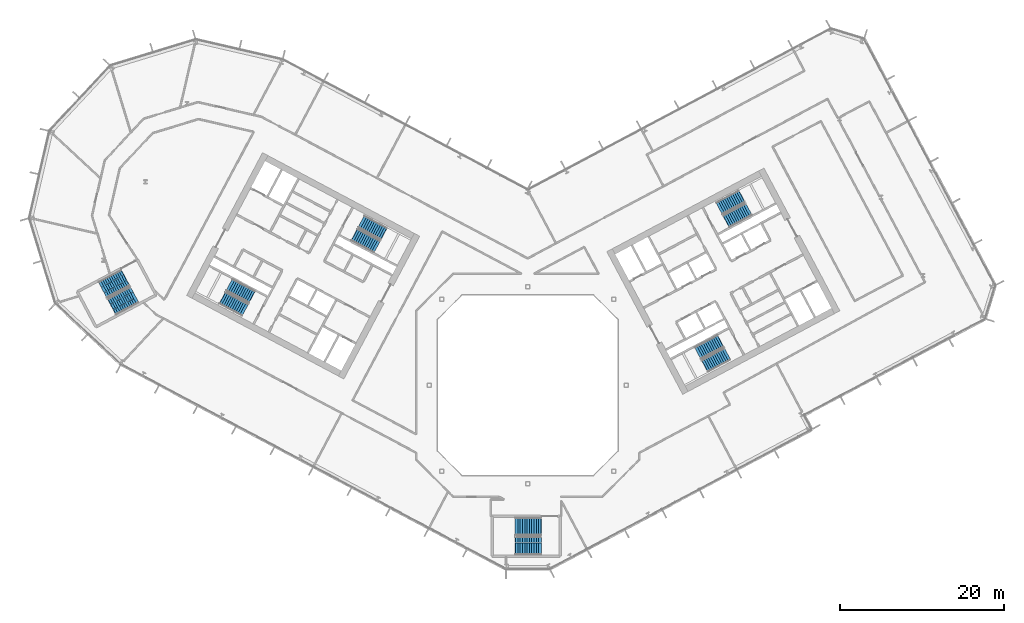
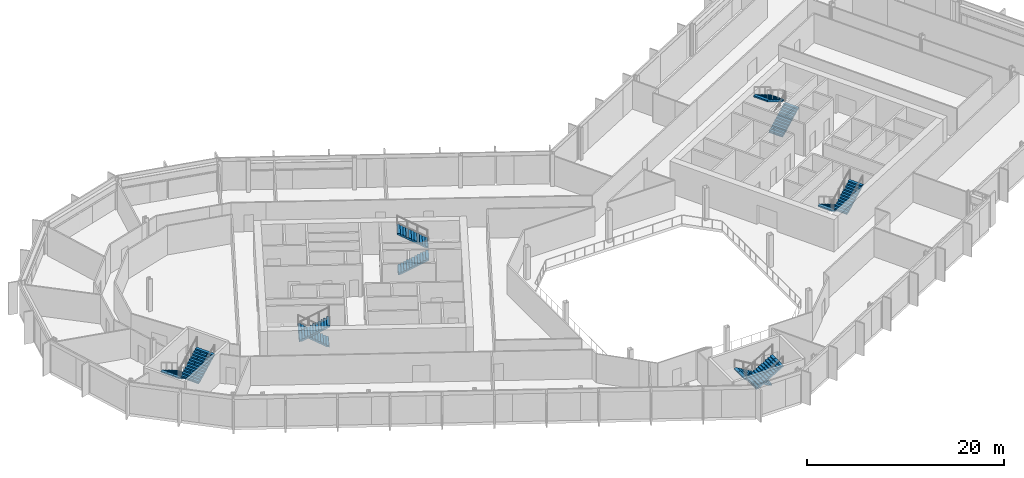
# One storey, part 18 of 28: 12 stair flights, 6 elements without a shape of their own.
"""IFC4 building model written with IfcOpenShell, lengths in metres."""

from ifc_helpers import new_model, si_unit, direction, frame, origin, place, context, subcontext, project, spatial, polyline, outline, extrude, material, type_object, element, aggregate, save


model = new_model("IFC4")

# Units and contexts
model_context = context("Model", 3, precision=1e-05, world=origin(), true_north=direction((0.0, 1.0)))
body_context = subcontext(model_context, "Body", "Model", "MODEL_VIEW")
ifc_project = project(units=[si_unit("LENGTHUNIT", "METRE"), si_unit("AREAUNIT", "SQUARE_METRE"), si_unit("VOLUMEUNIT", "CUBIC_METRE"), si_unit("PLANEANGLEUNIT", "RADIAN"), si_unit("MASSUNIT", "GRAM", prefix="KILO")], contexts=[model_context])

# Site, building, storey
site_placement = place(None, origin())
site = spatial("IfcSite", under=ifc_project, at=site_placement, CompositionType="ELEMENT")
building_placement = place(site_placement, origin())
building = spatial("IfcBuilding", under=site, at=building_placement, Name="Cormorant Relay Tower", CompositionType="ELEMENT")
storey_placement = place(building_placement, frame((0.0, 0.0, 174.199951171875)))
storey = spatial("IfcBuildingStorey", under=building, at=storey_placement, Name="L37", CompositionType="ELEMENT", Elevation=174.199951171875)

# Stair, stair flights
ifc_material_1 = material(Name="Concrete 40 MPa", Category="concrete")
stair_type_1 = type_object("IfcStairType", Name="Exit stair 1500", PredefinedType="HALF_TURN_STAIR", material=ifc_material_1)
stair_1_placement = place(storey_placement, origin())
stair_1 = element("IfcStair", 1, at=stair_1_placement, inside=storey, type_object=stair_type_1, Name="L37 Stair", PredefinedType="HALF_TURN_STAIR")
ifc_material_2 = material(Name="Concrete 40 MPa", Category="concrete")
stair_flight_type_1 = type_object("IfcStairFlightType", Name="Exit stair flight 1650", PredefinedType="STRAIGHT", material=ifc_material_2)
stair_flight_1_placement = place(storey_placement, frame((-21.114501953125, 18.33349609375, 0.0), z_axis=(0.0, 0.0, 1.0), x_axis=(0.882947592859, -0.469471562786, 0.0)))
stair_flight_1 = element("IfcStairFlight", 2, at=stair_flight_1_placement, type_object=stair_flight_type_1, Name="A1 flight 1", NumberOfRisers=12, NumberOfTreads=11, PredefinedType="STRAIGHT", RiserHeight=0.166666667, TreadLength=0.28, context=body_context, shape_type="SweptSolid", body=[
    extrude(outline(polyline([(-0.050048828125, -0.080078125), (-0.050048828125, 0.0), (0.0, 0.0), (0.0, 0.166748046875), (0.280029296875, 0.166748046875), (0.280029296875, 0.333251953125), (0.56005859375, 0.333251953125), (0.56005859375, 0.5), (0.840087890625, 0.5), (0.840087890625, 0.666748046875), (1.1201171875, 0.666748046875), (1.1201171875, 0.833251953125), (1.39990234375, 0.833251953125), (1.39990234375, 1.0), (1.679931640625, 1.0), (1.679931640625, 1.166748046875), (1.9599609375, 1.166748046875), (1.9599609375, 1.333251953125), (2.239990234375, 1.333251953125), (2.239990234375, 1.5), (2.52001953125, 1.5), (2.52001953125, 1.666748046875), (2.800048828125, 1.666748046875), (2.800048828125, 1.833251953125), (3.080078125, 1.833251953125), (3.130126953125, 1.833251953125), (3.130126953125, 1.658935546875), (3.080078125, 1.658935546875), (0.29296875, 0.0), (-0.050048828125, -0.080078125)])), frame((0.0, 0.824951171875, 0.0), z_axis=(0.0, -1.0, 0.0), x_axis=(1.0, 0.0, 0.0)), (0.0, 0.0, 1.0), 1.64990234375),
])
stair_flight_2_placement = place(storey_placement, frame((-17.5498046875, 18.47705078125, 2.0), z_axis=(0.0, 0.0, 1.0), x_axis=(-0.882947592859, 0.469471562786, 0.0)))
stair_flight_2 = element("IfcStairFlight", 3, at=stair_flight_2_placement, type_object=stair_flight_type_1, Name="A1 flight 2", NumberOfRisers=12, NumberOfTreads=11, PredefinedType="STRAIGHT", RiserHeight=0.166666667, TreadLength=0.28, context=body_context, shape_type="SweptSolid", body=[
    extrude(outline(polyline([(-0.050048828125, -0.080078125), (-0.050048828125, 0.0), (0.0, 0.0), (0.0, 0.166748046875), (0.280029296875, 0.166748046875), (0.280029296875, 0.333251953125), (0.56005859375, 0.333251953125), (0.56005859375, 0.5), (0.840087890625, 0.5), (0.840087890625, 0.666748046875), (1.1201171875, 0.666748046875), (1.1201171875, 0.833251953125), (1.39990234375, 0.833251953125), (1.39990234375, 1.0), (1.679931640625, 1.0), (1.679931640625, 1.166748046875), (1.9599609375, 1.166748046875), (1.9599609375, 1.333251953125), (2.239990234375, 1.333251953125), (2.239990234375, 1.5), (2.52001953125, 1.5), (2.52001953125, 1.666748046875), (2.800048828125, 1.666748046875), (2.800048828125, 1.833251953125), (3.080078125, 1.833251953125), (3.130126953125, 1.833251953125), (3.130126953125, 1.658935546875), (3.080078125, 1.658935546875), (0.29296875, 0.0), (-0.050048828125, -0.080078125)])), frame((0.0, 0.824951171875, 0.0), z_axis=(0.0, -1.0, 0.0), x_axis=(1.0, 0.0, 0.0)), (0.0, 0.0, 1.0), 1.64990234375),
])
aggregate(stair_1, [stair_flight_1, stair_flight_2])

stair_2_placement = place(storey_placement, origin())
stair_2 = element("IfcStair", 4, at=stair_2_placement, inside=storey, type_object=stair_type_1, Name="L37 Stair", PredefinedType="HALF_TURN_STAIR")
stair_flight_3_placement = place(storey_placement, frame((-33.62841796875, 10.773681640625, 0.0), z_axis=(0.0, 0.0, 1.0), x_axis=(-0.882947592859, 0.469471562786, 0.0)))
stair_flight_3 = element("IfcStairFlight", 5, at=stair_flight_3_placement, type_object=stair_flight_type_1, Name="A2 flight 1", NumberOfRisers=12, NumberOfTreads=11, PredefinedType="STRAIGHT", RiserHeight=0.166666667, TreadLength=0.28, context=body_context, shape_type="SweptSolid", body=[
    extrude(outline(polyline([(-0.050048828125, -0.080078125), (-0.050048828125, 0.0), (0.0, 0.0), (0.0, 0.166748046875), (0.280029296875, 0.166748046875), (0.280029296875, 0.333251953125), (0.56005859375, 0.333251953125), (0.56005859375, 0.5), (0.840087890625, 0.5), (0.840087890625, 0.666748046875), (1.1201171875, 0.666748046875), (1.1201171875, 0.833251953125), (1.39990234375, 0.833251953125), (1.39990234375, 1.0), (1.679931640625, 1.0), (1.679931640625, 1.166748046875), (1.9599609375, 1.166748046875), (1.9599609375, 1.333251953125), (2.239990234375, 1.333251953125), (2.239990234375, 1.5), (2.52001953125, 1.5), (2.52001953125, 1.666748046875), (2.800048828125, 1.666748046875), (2.800048828125, 1.833251953125), (3.080078125, 1.833251953125), (3.130126953125, 1.833251953125), (3.130126953125, 1.658935546875), (3.080078125, 1.658935546875), (0.29296875, 0.0), (-0.050048828125, -0.080078125)])), frame((0.0, 0.824951171875, 0.0), z_axis=(0.0, -1.0, 0.0), x_axis=(1.0, 0.0, 0.0)), (0.0, 0.0, 1.0), 1.64990234375),
])
stair_flight_4_placement = place(storey_placement, frame((-37.19287109375, 10.63037109375, 2.0), z_axis=(0.0, 0.0, 1.0), x_axis=(0.882947592859, -0.469471562786, 0.0)))
stair_flight_4 = element("IfcStairFlight", 6, at=stair_flight_4_placement, type_object=stair_flight_type_1, Name="A2 flight 2", NumberOfRisers=12, NumberOfTreads=11, PredefinedType="STRAIGHT", RiserHeight=0.166666667, TreadLength=0.28, context=body_context, shape_type="SweptSolid", body=[
    extrude(outline(polyline([(-0.050048828125, -0.080078125), (-0.050048828125, 0.0), (0.0, 0.0), (0.0, 0.166748046875), (0.280029296875, 0.166748046875), (0.280029296875, 0.333251953125), (0.56005859375, 0.333251953125), (0.56005859375, 0.5), (0.840087890625, 0.5), (0.840087890625, 0.666748046875), (1.1201171875, 0.666748046875), (1.1201171875, 0.833251953125), (1.39990234375, 0.833251953125), (1.39990234375, 1.0), (1.679931640625, 1.0), (1.679931640625, 1.166748046875), (1.9599609375, 1.166748046875), (1.9599609375, 1.333251953125), (2.239990234375, 1.333251953125), (2.239990234375, 1.5), (2.52001953125, 1.5), (2.52001953125, 1.666748046875), (2.800048828125, 1.666748046875), (2.800048828125, 1.833251953125), (3.080078125, 1.833251953125), (3.130126953125, 1.833251953125), (3.130126953125, 1.658935546875), (3.080078125, 1.658935546875), (0.29296875, 0.0), (-0.050048828125, -0.080078125)])), frame((0.0, 0.824951171875, 0.0), z_axis=(0.0, -1.0, 0.0), x_axis=(1.0, 0.0, 0.0)), (0.0, 0.0, 1.0), 1.64990234375),
])
aggregate(stair_2, [stair_flight_3, stair_flight_4])

stair_3_placement = place(storey_placement, origin())
stair_3 = element("IfcStair", 7, at=stair_3_placement, inside=storey, type_object=stair_type_1, Name="L37 Stair", PredefinedType="HALF_TURN_STAIR")
stair_flight_5_placement = place(storey_placement, frame((23.474365234375, 5.374755859375, 0.0), z_axis=(0.0, 0.0, 1.0), x_axis=(-0.882947592859, -0.469471562786, 0.0)))
stair_flight_5 = element("IfcStairFlight", 8, at=stair_flight_5_placement, type_object=stair_flight_type_1, Name="B1 flight 1", NumberOfRisers=12, NumberOfTreads=11, PredefinedType="STRAIGHT", RiserHeight=0.166666667, TreadLength=0.28, context=body_context, shape_type="SweptSolid", body=[
    extrude(outline(polyline([(-0.050048828125, -0.080078125), (-0.050048828125, 0.0), (0.0, 0.0), (0.0, 0.166748046875), (0.280029296875, 0.166748046875), (0.280029296875, 0.333251953125), (0.56005859375, 0.333251953125), (0.56005859375, 0.5), (0.840087890625, 0.5), (0.840087890625, 0.666748046875), (1.1201171875, 0.666748046875), (1.1201171875, 0.833251953125), (1.39990234375, 0.833251953125), (1.39990234375, 1.0), (1.679931640625, 1.0), (1.679931640625, 1.166748046875), (1.9599609375, 1.166748046875), (1.9599609375, 1.333251953125), (2.239990234375, 1.333251953125), (2.239990234375, 1.5), (2.52001953125, 1.5), (2.52001953125, 1.666748046875), (2.800048828125, 1.666748046875), (2.800048828125, 1.833251953125), (3.080078125, 1.833251953125), (3.130126953125, 1.833251953125), (3.130126953125, 1.658935546875), (3.080078125, 1.658935546875), (0.29296875, 0.0), (-0.050048828125, -0.080078125)])), frame((0.0, 0.824951171875, 0.0), z_axis=(0.0, -1.0, 0.0), x_axis=(1.0, 0.0, 0.0)), (0.0, 0.0, 1.0), 1.64990234375),
])
stair_flight_6_placement = place(storey_placement, frame((21.60009765625, 2.33935546875, 2.0), z_axis=(0.0, 0.0, 1.0), x_axis=(0.882947592859, 0.469471562786, 0.0)))
stair_flight_6 = element("IfcStairFlight", 9, at=stair_flight_6_placement, type_object=stair_flight_type_1, Name="B1 flight 2", NumberOfRisers=12, NumberOfTreads=11, PredefinedType="STRAIGHT", RiserHeight=0.166666667, TreadLength=0.28, context=body_context, shape_type="SweptSolid", body=[
    extrude(outline(polyline([(-0.050048828125, -0.080078125), (-0.050048828125, 0.0), (0.0, 0.0), (0.0, 0.166748046875), (0.280029296875, 0.166748046875), (0.280029296875, 0.333251953125), (0.56005859375, 0.333251953125), (0.56005859375, 0.5), (0.840087890625, 0.5), (0.840087890625, 0.666748046875), (1.1201171875, 0.666748046875), (1.1201171875, 0.833251953125), (1.39990234375, 0.833251953125), (1.39990234375, 1.0), (1.679931640625, 1.0), (1.679931640625, 1.166748046875), (1.9599609375, 1.166748046875), (1.9599609375, 1.333251953125), (2.239990234375, 1.333251953125), (2.239990234375, 1.5), (2.52001953125, 1.5), (2.52001953125, 1.666748046875), (2.800048828125, 1.666748046875), (2.800048828125, 1.833251953125), (3.080078125, 1.833251953125), (3.130126953125, 1.833251953125), (3.130126953125, 1.658935546875), (3.080078125, 1.658935546875), (0.29296875, 0.0), (-0.050048828125, -0.080078125)])), frame((0.0, 0.824951171875, 0.0), z_axis=(0.0, -1.0, 0.0), x_axis=(1.0, 0.0, 0.0)), (0.0, 0.0, 1.0), 1.64990234375),
])
aggregate(stair_3, [stair_flight_5, stair_flight_6])

stair_4_placement = place(storey_placement, origin())
stair_4 = element("IfcStair", 10, at=stair_4_placement, inside=storey, type_object=stair_type_1, Name="L37 Stair", PredefinedType="HALF_TURN_STAIR")
stair_flight_7_placement = place(storey_placement, frame((24.20458984375, 19.976806640625, 0.0), z_axis=(0.0, 0.0, 1.0), x_axis=(0.882947592859, 0.469471562786, 0.0)))
stair_flight_7 = element("IfcStairFlight", 11, at=stair_flight_7_placement, type_object=stair_flight_type_1, Name="B2 flight 1", NumberOfRisers=12, NumberOfTreads=11, PredefinedType="STRAIGHT", RiserHeight=0.166666667, TreadLength=0.28, context=body_context, shape_type="SweptSolid", body=[
    extrude(outline(polyline([(-0.050048828125, -0.080078125), (-0.050048828125, 0.0), (0.0, 0.0), (0.0, 0.166748046875), (0.280029296875, 0.166748046875), (0.280029296875, 0.333251953125), (0.56005859375, 0.333251953125), (0.56005859375, 0.5), (0.840087890625, 0.5), (0.840087890625, 0.666748046875), (1.1201171875, 0.666748046875), (1.1201171875, 0.833251953125), (1.39990234375, 0.833251953125), (1.39990234375, 1.0), (1.679931640625, 1.0), (1.679931640625, 1.166748046875), (1.9599609375, 1.166748046875), (1.9599609375, 1.333251953125), (2.239990234375, 1.333251953125), (2.239990234375, 1.5), (2.52001953125, 1.5), (2.52001953125, 1.666748046875), (2.800048828125, 1.666748046875), (2.800048828125, 1.833251953125), (3.080078125, 1.833251953125), (3.130126953125, 1.833251953125), (3.130126953125, 1.658935546875), (3.080078125, 1.658935546875), (0.29296875, 0.0), (-0.050048828125, -0.080078125)])), frame((0.0, 0.824951171875, 0.0), z_axis=(0.0, -1.0, 0.0), x_axis=(1.0, 0.0, 0.0)), (0.0, 0.0, 1.0), 1.64990234375),
])
stair_flight_8_placement = place(storey_placement, frame((26.0791015625, 23.011962890625, 2.0), z_axis=(0.0, 0.0, 1.0), x_axis=(-0.882947592859, -0.469471562786, 0.0)))
stair_flight_8 = element("IfcStairFlight", 12, at=stair_flight_8_placement, type_object=stair_flight_type_1, Name="B2 flight 2", NumberOfRisers=12, NumberOfTreads=11, PredefinedType="STRAIGHT", RiserHeight=0.166666667, TreadLength=0.28, context=body_context, shape_type="SweptSolid", body=[
    extrude(outline(polyline([(-0.050048828125, -0.080078125), (-0.050048828125, 0.0), (0.0, 0.0), (0.0, 0.166748046875), (0.280029296875, 0.166748046875), (0.280029296875, 0.333251953125), (0.56005859375, 0.333251953125), (0.56005859375, 0.5), (0.840087890625, 0.5), (0.840087890625, 0.666748046875), (1.1201171875, 0.666748046875), (1.1201171875, 0.833251953125), (1.39990234375, 0.833251953125), (1.39990234375, 1.0), (1.679931640625, 1.0), (1.679931640625, 1.166748046875), (1.9599609375, 1.166748046875), (1.9599609375, 1.333251953125), (2.239990234375, 1.333251953125), (2.239990234375, 1.5), (2.52001953125, 1.5), (2.52001953125, 1.666748046875), (2.800048828125, 1.666748046875), (2.800048828125, 1.833251953125), (3.080078125, 1.833251953125), (3.130126953125, 1.833251953125), (3.130126953125, 1.658935546875), (3.080078125, 1.658935546875), (0.29296875, 0.0), (-0.050048828125, -0.080078125)])), frame((0.0, 0.824951171875, 0.0), z_axis=(0.0, -1.0, 0.0), x_axis=(1.0, 0.0, 0.0)), (0.0, 0.0, 1.0), 1.64990234375),
])
aggregate(stair_4, [stair_flight_7, stair_flight_8])

ifc_material_3 = material(Name="Concrete 40 MPa", Category="concrete")
stair_type_2 = type_object("IfcStairType", Name="Remote exit stair 2200", PredefinedType="HALF_TURN_STAIR", material=ifc_material_3)
stair_5_placement = place(storey_placement, origin())
stair_5 = element("IfcStair", 13, at=stair_5_placement, inside=storey, type_object=stair_type_2, Name="L37 Stair", PredefinedType="HALF_TURN_STAIR")
ifc_material_4 = material(Name="Concrete 40 MPa", Category="concrete")
stair_flight_type_2 = type_object("IfcStairFlightType", Name="Remote exit stair flight 2200", PredefinedType="STRAIGHT", material=ifc_material_4)
stair_flight_9_placement = place(storey_placement, frame((1.60009765625, -17.22509765625, 0.0), z_axis=(0.0, 0.0, 1.0), x_axis=(-1.0, 0.0, 0.0)))
stair_flight_9 = element("IfcStairFlight", 14, at=stair_flight_9_placement, type_object=stair_flight_type_2, Name="RK1 flight 1", NumberOfRisers=12, NumberOfTreads=11, PredefinedType="STRAIGHT", RiserHeight=0.166666667, TreadLength=0.28, context=body_context, shape_type="SweptSolid", body=[
    extrude(outline(polyline([(-0.050048828125, -0.080078125), (-0.050048828125, 0.0), (0.0, 0.0), (0.0, 0.166748046875), (0.280029296875, 0.166748046875), (0.280029296875, 0.333251953125), (0.56005859375, 0.333251953125), (0.56005859375, 0.5), (0.840087890625, 0.5), (0.840087890625, 0.666748046875), (1.1201171875, 0.666748046875), (1.1201171875, 0.833251953125), (1.39990234375, 0.833251953125), (1.39990234375, 1.0), (1.679931640625, 1.0), (1.679931640625, 1.166748046875), (1.9599609375, 1.166748046875), (1.9599609375, 1.333251953125), (2.239990234375, 1.333251953125), (2.239990234375, 1.5), (2.52001953125, 1.5), (2.52001953125, 1.666748046875), (2.800048828125, 1.666748046875), (2.800048828125, 1.833251953125), (3.080078125, 1.833251953125), (3.130126953125, 1.833251953125), (3.130126953125, 1.658935546875), (3.080078125, 1.658935546875), (0.29296875, 0.0), (-0.050048828125, -0.080078125)])), frame((0.0, 1.10009765625, 0.0), z_axis=(0.0, -1.0, 0.0), x_axis=(1.0, 0.0, 0.0)), (0.0, 0.0, 1.0), 0.719970703125),
    extrude(outline(polyline([(-0.050048828125, -0.080078125), (-0.050048828125, 0.0), (0.0, 0.0), (0.0, 0.166748046875), (0.280029296875, 0.166748046875), (0.280029296875, 0.333251953125), (0.56005859375, 0.333251953125), (0.56005859375, 0.5), (0.840087890625, 0.5), (0.840087890625, 0.666748046875), (1.1201171875, 0.666748046875), (1.1201171875, 0.833251953125), (1.39990234375, 0.833251953125), (1.39990234375, 1.0), (1.679931640625, 1.0), (1.679931640625, 1.166748046875), (1.9599609375, 1.166748046875), (1.9599609375, 1.333251953125), (2.239990234375, 1.333251953125), (2.239990234375, 1.5), (2.52001953125, 1.5), (2.52001953125, 1.666748046875), (2.800048828125, 1.666748046875), (2.800048828125, 1.833251953125), (3.080078125, 1.833251953125), (3.130126953125, 1.833251953125), (3.130126953125, 1.658935546875), (3.080078125, 1.658935546875), (0.29296875, 0.0), (-0.050048828125, -0.080078125)])), frame((0.0, 0.360107421875, 0.0), z_axis=(0.0, -1.0, 0.0), x_axis=(1.0, 0.0, 0.0)), (0.0, 0.0, 1.0), 0.719970703125),
    extrude(outline(polyline([(-0.050048828125, -0.080078125), (-0.050048828125, 0.0), (0.0, 0.0), (0.0, 0.166748046875), (0.280029296875, 0.166748046875), (0.280029296875, 0.333251953125), (0.56005859375, 0.333251953125), (0.56005859375, 0.5), (0.840087890625, 0.5), (0.840087890625, 0.666748046875), (1.1201171875, 0.666748046875), (1.1201171875, 0.833251953125), (1.39990234375, 0.833251953125), (1.39990234375, 1.0), (1.679931640625, 1.0), (1.679931640625, 1.166748046875), (1.9599609375, 1.166748046875), (1.9599609375, 1.333251953125), (2.239990234375, 1.333251953125), (2.239990234375, 1.5), (2.52001953125, 1.5), (2.52001953125, 1.666748046875), (2.800048828125, 1.666748046875), (2.800048828125, 1.833251953125), (3.080078125, 1.833251953125), (3.130126953125, 1.833251953125), (3.130126953125, 1.658935546875), (3.080078125, 1.658935546875), (0.29296875, 0.0), (-0.050048828125, -0.080078125)])), frame((0.0, -0.3798828125, 0.0), z_axis=(0.0, -1.0, 0.0), x_axis=(1.0, 0.0, 0.0)), (0.0, 0.0, 1.0), 0.719970703125),
])
stair_flight_10_placement = place(storey_placement, frame((-1.47998046875, -19.574951171875, 2.0), z_axis=(0.0, 0.0, 1.0), x_axis=(1.0, 0.0, 0.0)))
stair_flight_10 = element("IfcStairFlight", 15, at=stair_flight_10_placement, type_object=stair_flight_type_2, Name="RK1 flight 2", NumberOfRisers=12, NumberOfTreads=11, PredefinedType="STRAIGHT", RiserHeight=0.166666667, TreadLength=0.28, context=body_context, shape_type="SweptSolid", body=[
    extrude(outline(polyline([(-0.050048828125, -0.080078125), (-0.050048828125, 0.0), (0.0, 0.0), (0.0, 0.166748046875), (0.280029296875, 0.166748046875), (0.280029296875, 0.333251953125), (0.56005859375, 0.333251953125), (0.56005859375, 0.5), (0.840087890625, 0.5), (0.840087890625, 0.666748046875), (1.1201171875, 0.666748046875), (1.1201171875, 0.833251953125), (1.39990234375, 0.833251953125), (1.39990234375, 1.0), (1.679931640625, 1.0), (1.679931640625, 1.166748046875), (1.9599609375, 1.166748046875), (1.9599609375, 1.333251953125), (2.239990234375, 1.333251953125), (2.239990234375, 1.5), (2.52001953125, 1.5), (2.52001953125, 1.666748046875), (2.800048828125, 1.666748046875), (2.800048828125, 1.833251953125), (3.080078125, 1.833251953125), (3.130126953125, 1.833251953125), (3.130126953125, 1.658935546875), (3.080078125, 1.658935546875), (0.29296875, 0.0), (-0.050048828125, -0.080078125)])), frame((0.0, 1.10009765625, 0.0), z_axis=(0.0, -1.0, 0.0), x_axis=(1.0, 0.0, 0.0)), (0.0, 0.0, 1.0), 0.719970703125),
    extrude(outline(polyline([(-0.050048828125, -0.080078125), (-0.050048828125, 0.0), (0.0, 0.0), (0.0, 0.166748046875), (0.280029296875, 0.166748046875), (0.280029296875, 0.333251953125), (0.56005859375, 0.333251953125), (0.56005859375, 0.5), (0.840087890625, 0.5), (0.840087890625, 0.666748046875), (1.1201171875, 0.666748046875), (1.1201171875, 0.833251953125), (1.39990234375, 0.833251953125), (1.39990234375, 1.0), (1.679931640625, 1.0), (1.679931640625, 1.166748046875), (1.9599609375, 1.166748046875), (1.9599609375, 1.333251953125), (2.239990234375, 1.333251953125), (2.239990234375, 1.5), (2.52001953125, 1.5), (2.52001953125, 1.666748046875), (2.800048828125, 1.666748046875), (2.800048828125, 1.833251953125), (3.080078125, 1.833251953125), (3.130126953125, 1.833251953125), (3.130126953125, 1.658935546875), (3.080078125, 1.658935546875), (0.29296875, 0.0), (-0.050048828125, -0.080078125)])), frame((0.0, 0.360107421875, 0.0), z_axis=(0.0, -1.0, 0.0), x_axis=(1.0, 0.0, 0.0)), (0.0, 0.0, 1.0), 0.719970703125),
    extrude(outline(polyline([(-0.050048828125, -0.080078125), (-0.050048828125, 0.0), (0.0, 0.0), (0.0, 0.166748046875), (0.280029296875, 0.166748046875), (0.280029296875, 0.333251953125), (0.56005859375, 0.333251953125), (0.56005859375, 0.5), (0.840087890625, 0.5), (0.840087890625, 0.666748046875), (1.1201171875, 0.666748046875), (1.1201171875, 0.833251953125), (1.39990234375, 0.833251953125), (1.39990234375, 1.0), (1.679931640625, 1.0), (1.679931640625, 1.166748046875), (1.9599609375, 1.166748046875), (1.9599609375, 1.333251953125), (2.239990234375, 1.333251953125), (2.239990234375, 1.5), (2.52001953125, 1.5), (2.52001953125, 1.666748046875), (2.800048828125, 1.666748046875), (2.800048828125, 1.833251953125), (3.080078125, 1.833251953125), (3.130126953125, 1.833251953125), (3.130126953125, 1.658935546875), (3.080078125, 1.658935546875), (0.29296875, 0.0), (-0.050048828125, -0.080078125)])), frame((0.0, -0.3798828125, 0.0), z_axis=(0.0, -1.0, 0.0), x_axis=(1.0, 0.0, 0.0)), (0.0, 0.0, 1.0), 0.719970703125),
])
aggregate(stair_5, [stair_flight_9, stair_flight_10])

stair_6_placement = place(storey_placement, origin())
stair_6 = element("IfcStair", 16, at=stair_6_placement, inside=storey, type_object=stair_type_2, Name="L37 Stair", PredefinedType="HALF_TURN_STAIR")
stair_flight_11_placement = place(storey_placement, frame((-49.062255859375, 13.08251953125, 0.0), z_axis=(0.0, 0.0, 1.0), x_axis=(-0.882947502727, -0.4694717323, 0.0)))
stair_flight_11 = element("IfcStairFlight", 17, at=stair_flight_11_placement, type_object=stair_flight_type_2, Name="RP1 flight 1", NumberOfRisers=12, NumberOfTreads=11, PredefinedType="STRAIGHT", RiserHeight=0.166666667, TreadLength=0.28, context=body_context, shape_type="SweptSolid", body=[
    extrude(outline(polyline([(-0.050048828125, -0.080078125), (-0.050048828125, 0.0), (0.0, 0.0), (0.0, 0.166748046875), (0.280029296875, 0.166748046875), (0.280029296875, 0.333251953125), (0.56005859375, 0.333251953125), (0.56005859375, 0.5), (0.840087890625, 0.5), (0.840087890625, 0.666748046875), (1.1201171875, 0.666748046875), (1.1201171875, 0.833251953125), (1.39990234375, 0.833251953125), (1.39990234375, 1.0), (1.679931640625, 1.0), (1.679931640625, 1.166748046875), (1.9599609375, 1.166748046875), (1.9599609375, 1.333251953125), (2.239990234375, 1.333251953125), (2.239990234375, 1.5), (2.52001953125, 1.5), (2.52001953125, 1.666748046875), (2.800048828125, 1.666748046875), (2.800048828125, 1.833251953125), (3.080078125, 1.833251953125), (3.130126953125, 1.833251953125), (3.130126953125, 1.658935546875), (3.080078125, 1.658935546875), (0.29296875, 0.0), (-0.050048828125, -0.080078125)])), frame((0.0, 1.10009765625, 0.0), z_axis=(0.0, -1.0, 0.0), x_axis=(1.0, 0.0, 0.0)), (0.0, 0.0, 1.0), 0.719970703125),
    extrude(outline(polyline([(-0.050048828125, -0.080078125), (-0.050048828125, 0.0), (0.0, 0.0), (0.0, 0.166748046875), (0.280029296875, 0.166748046875), (0.280029296875, 0.333251953125), (0.56005859375, 0.333251953125), (0.56005859375, 0.5), (0.840087890625, 0.5), (0.840087890625, 0.666748046875), (1.1201171875, 0.666748046875), (1.1201171875, 0.833251953125), (1.39990234375, 0.833251953125), (1.39990234375, 1.0), (1.679931640625, 1.0), (1.679931640625, 1.166748046875), (1.9599609375, 1.166748046875), (1.9599609375, 1.333251953125), (2.239990234375, 1.333251953125), (2.239990234375, 1.5), (2.52001953125, 1.5), (2.52001953125, 1.666748046875), (2.800048828125, 1.666748046875), (2.800048828125, 1.833251953125), (3.080078125, 1.833251953125), (3.130126953125, 1.833251953125), (3.130126953125, 1.658935546875), (3.080078125, 1.658935546875), (0.29296875, 0.0), (-0.050048828125, -0.080078125)])), frame((0.0, 0.360107421875, 0.0), z_axis=(0.0, -1.0, 0.0), x_axis=(1.0, 0.0, 0.0)), (0.0, 0.0, 1.0), 0.719970703125),
    extrude(outline(polyline([(-0.050048828125, -0.080078125), (-0.050048828125, 0.0), (0.0, 0.0), (0.0, 0.166748046875), (0.280029296875, 0.166748046875), (0.280029296875, 0.333251953125), (0.56005859375, 0.333251953125), (0.56005859375, 0.5), (0.840087890625, 0.5), (0.840087890625, 0.666748046875), (1.1201171875, 0.666748046875), (1.1201171875, 0.833251953125), (1.39990234375, 0.833251953125), (1.39990234375, 1.0), (1.679931640625, 1.0), (1.679931640625, 1.166748046875), (1.9599609375, 1.166748046875), (1.9599609375, 1.333251953125), (2.239990234375, 1.333251953125), (2.239990234375, 1.5), (2.52001953125, 1.5), (2.52001953125, 1.666748046875), (2.800048828125, 1.666748046875), (2.800048828125, 1.833251953125), (3.080078125, 1.833251953125), (3.130126953125, 1.833251953125), (3.130126953125, 1.658935546875), (3.080078125, 1.658935546875), (0.29296875, 0.0), (-0.050048828125, -0.080078125)])), frame((0.0, -0.3798828125, 0.0), z_axis=(0.0, -1.0, 0.0), x_axis=(1.0, 0.0, 0.0)), (0.0, 0.0, 1.0), 0.719970703125),
])
stair_flight_12_placement = place(storey_placement, frame((-50.678466796875, 9.5615234375, 2.0), z_axis=(0.0, 0.0, 1.0), x_axis=(0.882947502727, 0.4694717323, 0.0)))
stair_flight_12 = element("IfcStairFlight", 18, at=stair_flight_12_placement, type_object=stair_flight_type_2, Name="RP1 flight 2", NumberOfRisers=12, NumberOfTreads=11, PredefinedType="STRAIGHT", RiserHeight=0.166666667, TreadLength=0.28, context=body_context, shape_type="SweptSolid", body=[
    extrude(outline(polyline([(-0.050048828125, -0.080078125), (-0.050048828125, 0.0), (0.0, 0.0), (0.0, 0.166748046875), (0.280029296875, 0.166748046875), (0.280029296875, 0.333251953125), (0.56005859375, 0.333251953125), (0.56005859375, 0.5), (0.840087890625, 0.5), (0.840087890625, 0.666748046875), (1.1201171875, 0.666748046875), (1.1201171875, 0.833251953125), (1.39990234375, 0.833251953125), (1.39990234375, 1.0), (1.679931640625, 1.0), (1.679931640625, 1.166748046875), (1.9599609375, 1.166748046875), (1.9599609375, 1.333251953125), (2.239990234375, 1.333251953125), (2.239990234375, 1.5), (2.52001953125, 1.5), (2.52001953125, 1.666748046875), (2.800048828125, 1.666748046875), (2.800048828125, 1.833251953125), (3.080078125, 1.833251953125), (3.130126953125, 1.833251953125), (3.130126953125, 1.658935546875), (3.080078125, 1.658935546875), (0.29296875, 0.0), (-0.050048828125, -0.080078125)])), frame((0.0, 1.10009765625, 0.0), z_axis=(0.0, -1.0, 0.0), x_axis=(1.0, 0.0, 0.0)), (0.0, 0.0, 1.0), 0.719970703125),
    extrude(outline(polyline([(-0.050048828125, -0.080078125), (-0.050048828125, 0.0), (0.0, 0.0), (0.0, 0.166748046875), (0.280029296875, 0.166748046875), (0.280029296875, 0.333251953125), (0.56005859375, 0.333251953125), (0.56005859375, 0.5), (0.840087890625, 0.5), (0.840087890625, 0.666748046875), (1.1201171875, 0.666748046875), (1.1201171875, 0.833251953125), (1.39990234375, 0.833251953125), (1.39990234375, 1.0), (1.679931640625, 1.0), (1.679931640625, 1.166748046875), (1.9599609375, 1.166748046875), (1.9599609375, 1.333251953125), (2.239990234375, 1.333251953125), (2.239990234375, 1.5), (2.52001953125, 1.5), (2.52001953125, 1.666748046875), (2.800048828125, 1.666748046875), (2.800048828125, 1.833251953125), (3.080078125, 1.833251953125), (3.130126953125, 1.833251953125), (3.130126953125, 1.658935546875), (3.080078125, 1.658935546875), (0.29296875, 0.0), (-0.050048828125, -0.080078125)])), frame((0.0, 0.360107421875, 0.0), z_axis=(0.0, -1.0, 0.0), x_axis=(1.0, 0.0, 0.0)), (0.0, 0.0, 1.0), 0.719970703125),
    extrude(outline(polyline([(-0.050048828125, -0.080078125), (-0.050048828125, 0.0), (0.0, 0.0), (0.0, 0.166748046875), (0.280029296875, 0.166748046875), (0.280029296875, 0.333251953125), (0.56005859375, 0.333251953125), (0.56005859375, 0.5), (0.840087890625, 0.5), (0.840087890625, 0.666748046875), (1.1201171875, 0.666748046875), (1.1201171875, 0.833251953125), (1.39990234375, 0.833251953125), (1.39990234375, 1.0), (1.679931640625, 1.0), (1.679931640625, 1.166748046875), (1.9599609375, 1.166748046875), (1.9599609375, 1.333251953125), (2.239990234375, 1.333251953125), (2.239990234375, 1.5), (2.52001953125, 1.5), (2.52001953125, 1.666748046875), (2.800048828125, 1.666748046875), (2.800048828125, 1.833251953125), (3.080078125, 1.833251953125), (3.130126953125, 1.833251953125), (3.130126953125, 1.658935546875), (3.080078125, 1.658935546875), (0.29296875, 0.0), (-0.050048828125, -0.080078125)])), frame((0.0, -0.3798828125, 0.0), z_axis=(0.0, -1.0, 0.0), x_axis=(1.0, 0.0, 0.0)), (0.0, 0.0, 1.0), 0.719970703125),
])
aggregate(stair_6, [stair_flight_11, stair_flight_12])

save(model, "model.ifc")
